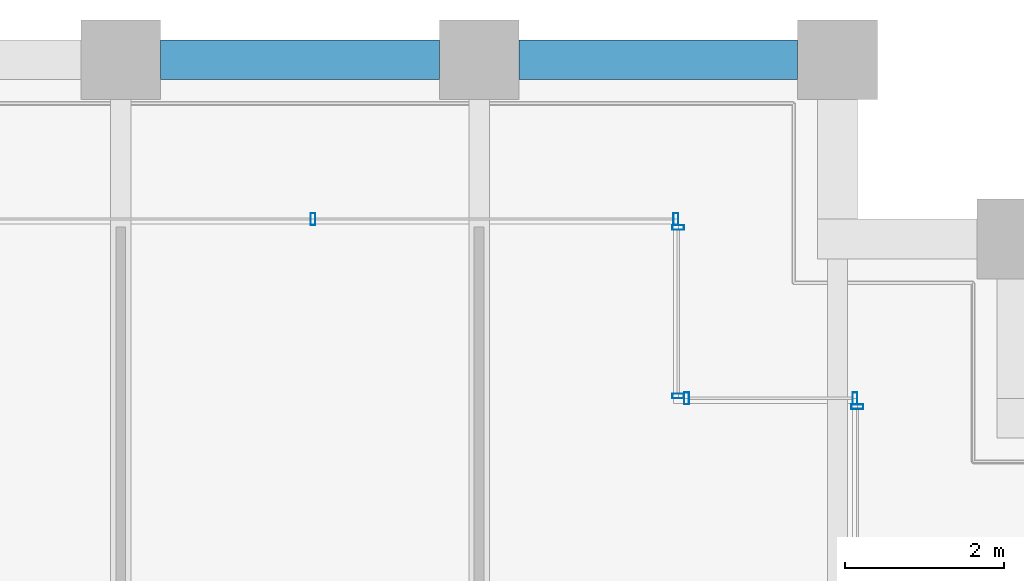
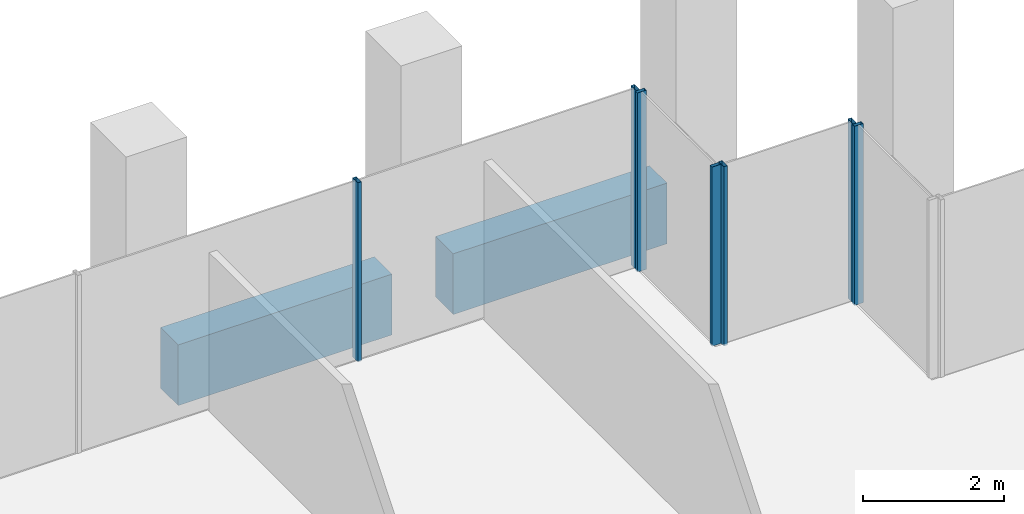
# One storey, part 26 of 46: 7 members, 2 beams, 4 elements without a shape of their own.
"""IFC4 building model written with IfcOpenShell, lengths in metres."""

from ifc_helpers import new_model, si_unit, direction, frame, origin, origin_2d, place, context, subcontext, project, spatial, rectangle, hollow_rectangle, extrude, material, material_profile, profile_set, type_object, element, aggregate, save


model = new_model("IFC4")

# Units and contexts
model_context = context("Model", 3, precision=1e-05, world=origin(), true_north=direction((0.0, 1.0)))
body_context = subcontext(model_context, "Body", "Model", "MODEL_VIEW")
ifc_project = project(units=[si_unit("LENGTHUNIT", "METRE"), si_unit("AREAUNIT", "SQUARE_METRE"), si_unit("VOLUMEUNIT", "CUBIC_METRE"), si_unit("PLANEANGLEUNIT", "RADIAN"), si_unit("MASSUNIT", "GRAM", prefix="KILO")], contexts=[model_context])

# Site, building, storey
site_placement = place(None, origin())
site = spatial("IfcSite", under=ifc_project, at=site_placement, CompositionType="ELEMENT")
building_placement = place(site_placement, origin())
building = spatial("IfcBuilding", under=site, at=building_placement, Name="Altepetl Exchange Towers", CompositionType="ELEMENT")
storey_placement = place(building_placement, frame((0.0, 0.0, 102.800048828125)))
storey = spatial("IfcBuildingStorey", under=building, at=storey_placement, Name="L25", CompositionType="ELEMENT", Elevation=102.800048828125)

# Curtain wall, member
ifc_material_1 = material(Name="Aluminium 6063-T6 glazing", Category="aluminium")
curtain_wall_type = type_object("IfcCurtainWallType", Name="Loggia glazing system", PredefinedType="NOTDEFINED", material=ifc_material_1)
curtain_wall_1_placement = place(storey_placement, origin())
curtain_wall_1 = element("IfcCurtainWall", 1, at=curtain_wall_1_placement, inside=storey, type_object=curtain_wall_type, Name="CW1 run", PredefinedType="NOTDEFINED")
ifc_material_2 = material(Name="Aluminium 6063-T6", Category="aluminium")
ifc_material_profile_1 = material_profile(ifc_material_2, hollow_rectangle(XDim=0.06005859375, YDim=0.14990234375, WallThickness=0.0029296875, at=origin_2d()), Name="Mullion 60x150 aluminium")
ifc_profile_set_1 = profile_set([ifc_material_profile_1], Name="Aluminium 6063-T6")
member_type = type_object("IfcMemberType", Name="Mullion 60x150 aluminium", PredefinedType="MULLION", material=ifc_profile_set_1)
member_1_placement = place(storey_placement, frame((67.75, 67.64501953125, 0.0), z_axis=(0.0, 0.0, 1.0), x_axis=(0.0, 1.0, 0.0)))
member_1 = element("IfcMember", 2, at=member_1_placement, type_object=member_type, Name="MU1 mullion", PredefinedType="MULLION", context=body_context, shape_type="SweptSolid", body=[
    extrude(hollow_rectangle(XDim=0.06005859375, YDim=0.14990234375, WallThickness=0.0029296875, at=origin_2d()), origin(), (0.0, 0.0, 1.0), 3.099853515625),
])
aggregate(curtain_wall_1, [member_1])

# Curtain wall, members
curtain_wall_2_placement = place(storey_placement, origin())
curtain_wall_2 = element("IfcCurtainWall", 3, at=curtain_wall_2_placement, inside=storey, type_object=curtain_wall_type, Name="CW1 run", PredefinedType="NOTDEFINED")
member_2_placement = place(storey_placement, frame((67.719970703125, 67.75, 0.0), z_axis=(0.0, 0.0, 1.0), x_axis=(-1.0, 0.0, 0.0)))
member_2 = element("IfcMember", 4, at=member_2_placement, type_object=member_type, Name="MU1 mullion", PredefinedType="MULLION", context=body_context, shape_type="SweptSolid", body=[
    extrude(hollow_rectangle(XDim=0.06005859375, YDim=0.14990234375, WallThickness=0.0029296875, at=origin_2d()), origin(), (0.0, 0.0, 1.0), 3.099853515625),
])
member_3_placement = place(storey_placement, frame((65.60498046875, 67.75, 0.0), z_axis=(0.0, 0.0, 1.0), x_axis=(-1.0, 0.0, 0.0)))
member_3 = element("IfcMember", 5, at=member_3_placement, type_object=member_type, Name="MU1 mullion", PredefinedType="MULLION", context=body_context, shape_type="SweptSolid", body=[
    extrude(hollow_rectangle(XDim=0.06005859375, YDim=0.14990234375, WallThickness=0.0029296875, at=origin_2d()), origin(), (0.0, 0.0, 1.0), 3.099853515625),
])
aggregate(curtain_wall_2, [member_2, member_3])

curtain_wall_3_placement = place(storey_placement, origin())
curtain_wall_3 = element("IfcCurtainWall", 6, at=curtain_wall_3_placement, inside=storey, type_object=curtain_wall_type, Name="CW1 run", PredefinedType="NOTDEFINED")
member_4_placement = place(storey_placement, frame((65.5, 67.780029296875, 0.0), z_axis=(0.0, 0.0, 1.0), x_axis=(0.0, 1.0, 0.0)))
member_4 = element("IfcMember", 7, at=member_4_placement, type_object=member_type, Name="MU1 mullion", PredefinedType="MULLION", context=body_context, shape_type="SweptSolid", body=[
    extrude(hollow_rectangle(XDim=0.06005859375, YDim=0.14990234375, WallThickness=0.0029296875, at=origin_2d()), origin(), (0.0, 0.0, 1.0), 3.099853515625),
])
member_5_placement = place(storey_placement, frame((65.5, 69.89501953125, 0.0), z_axis=(0.0, 0.0, 1.0), x_axis=(0.0, 1.0, 0.0)))
member_5 = element("IfcMember", 8, at=member_5_placement, type_object=member_type, Name="MU1 mullion", PredefinedType="MULLION", context=body_context, shape_type="SweptSolid", body=[
    extrude(hollow_rectangle(XDim=0.06005859375, YDim=0.14990234375, WallThickness=0.0029296875, at=origin_2d()), origin(), (0.0, 0.0, 1.0), 3.099853515625),
])
aggregate(curtain_wall_3, [member_4, member_5])

curtain_wall_4_placement = place(storey_placement, origin())
curtain_wall_4 = element("IfcCurtainWall", 9, at=curtain_wall_4_placement, inside=storey, type_object=curtain_wall_type, Name="CW1 run", PredefinedType="NOTDEFINED")
member_6_placement = place(storey_placement, frame((65.469970703125, 70.0, 0.0), z_axis=(0.0, 0.0, 1.0), x_axis=(-1.0, 0.0, 0.0)))
member_6 = element("IfcMember", 10, at=member_6_placement, type_object=member_type, Name="MU1 mullion", PredefinedType="MULLION", context=body_context, shape_type="SweptSolid", body=[
    extrude(hollow_rectangle(XDim=0.06005859375, YDim=0.14990234375, WallThickness=0.0029296875, at=origin_2d()), origin(), (0.0, 0.0, 1.0), 3.099853515625),
])
member_7_placement = place(storey_placement, frame((60.9150390625, 70.0, 0.0), z_axis=(0.0, 0.0, 1.0), x_axis=(-1.0, 0.0, 0.0)))
member_7 = element("IfcMember", 11, at=member_7_placement, type_object=member_type, Name="MU1 mullion", PredefinedType="MULLION", context=body_context, shape_type="SweptSolid", body=[
    extrude(hollow_rectangle(XDim=0.06005859375, YDim=0.14990234375, WallThickness=0.0029296875, at=origin_2d()), origin(), (0.0, 0.0, 1.0), 3.099853515625),
])
aggregate(curtain_wall_4, [member_6, member_7])

# Beams
ifc_material_3 = material(Name="Concrete C50/60 precast with cantera rosa facing", Category="concrete")
ifc_material_profile_2 = material_profile(ifc_material_3, rectangle(XDim=0.5, YDim=1.050048828125, at=origin_2d()), Name="500 x 1050")
ifc_profile_set_2 = profile_set([ifc_material_profile_2], Name="Concrete C50/60 precast with cantera rosa facing")
beam_type = type_object("IfcBeamType", Name="Spandrel beam 500x1050 cantera rosa", PredefinedType="SPANDREL", material=ifc_profile_set_2)
for number, where, z_axis, x_axis, name in (
    (12, (67.0, 72.0, -0.675048828125), (-1.0, 0.0, 0.0), (0.0, -1.0, 0.0), "sp:A:L25:024"),
    (13, (62.5, 72.0, -0.675048828125), (-1.0, 0.0, 0.0), (0.0, -1.0, 0.0), "sp:A:L25:025"),
):
    element("IfcBeam", number, at=place(storey_placement, frame(where, z_axis=z_axis, x_axis=x_axis)), inside=storey, type_object=beam_type, Name=name, PredefinedType="SPANDREL", context=body_context, shape_type="SweptSolid", body=[
        extrude(rectangle(XDim=0.5, YDim=1.050048828125, at=origin_2d()), origin(), (0.0, 0.0, 1.0), 3.5),
    ])

save(model, "model.ifc")
